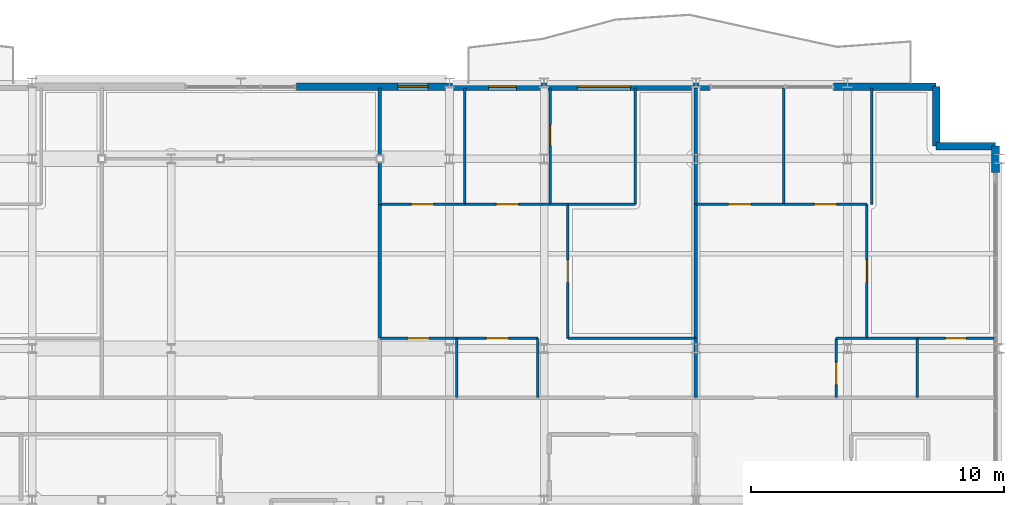
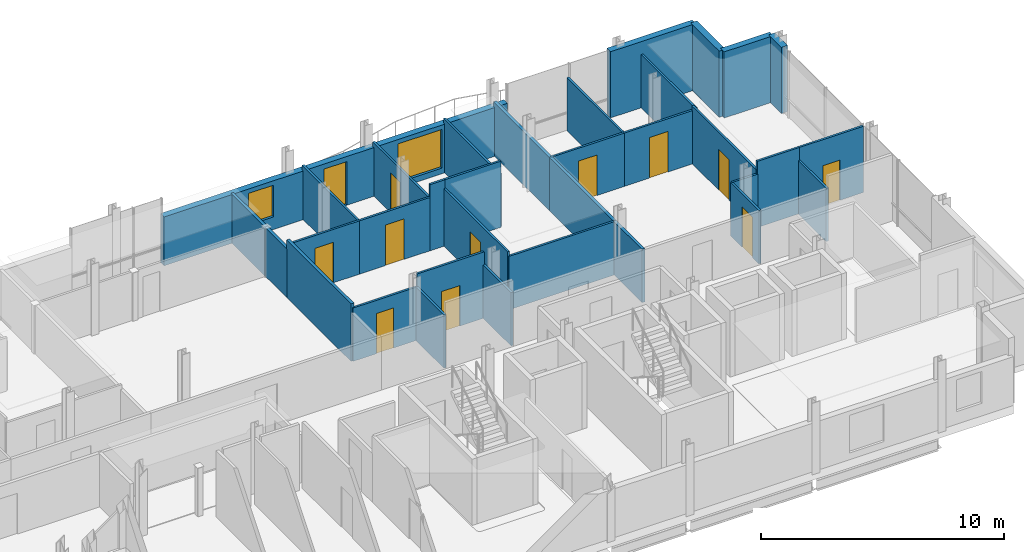
# One storey, part 30 of 35: 34 walls, 12 doors, 2 windows, 14 openings.
"""IFC4 building model written with IfcOpenShell, lengths in metres."""

from ifc_helpers import new_model, si_unit, direction, frame, frame_2d, origin, place, context, subcontext, project, spatial, rectangle, extrude, material, layer, layer_set, type_object, element, fill, save


model = new_model("IFC4")

# Units and contexts
model_context = context("Model", 3, precision=1e-05, world=origin(), true_north=direction((0.0, 1.0)))
body_context = subcontext(model_context, "Body", "Model", "MODEL_VIEW")
ifc_project = project(units=[si_unit("LENGTHUNIT", "METRE"), si_unit("AREAUNIT", "SQUARE_METRE"), si_unit("VOLUMEUNIT", "CUBIC_METRE"), si_unit("PLANEANGLEUNIT", "RADIAN"), si_unit("MASSUNIT", "GRAM", prefix="KILO")], contexts=[model_context])

# Site, building, storey
site_placement = place(None, origin())
site = spatial("IfcSite", under=ifc_project, at=site_placement, CompositionType="ELEMENT")
building_placement = place(site_placement, origin())
building = spatial("IfcBuilding", under=site, at=building_placement, Name="Brevholm Reach", CompositionType="ELEMENT")
storey_placement = place(building_placement, frame((0.0, 0.0, 214.39990234375)))
storey = spatial("IfcBuildingStorey", under=building, at=storey_placement, Name="L65", CompositionType="ELEMENT", Elevation=214.39990234375)

# Walls
ifc_material_1 = material(Name="Concrete C40/50", Category="concrete")
ifc_layer_1 = layer(ifc_material_1, 0.300048828125)
ifc_layer_set_1 = layer_set([ifc_layer_1], Name="Concrete C40/50")
wall_type_1 = type_object("IfcWallType", Name="WAL-EXT-300", PredefinedType="STANDARD", material=ifc_layer_set_1)
for number, where, z_axis, x_axis, name in (
    (1, (59.85009765625, 24.0, 0.0), (0.0, 0.0, 1.0), (-1.0, 0.0, 0.0), "L65 Facade Wall WAL-L65-CNE1"),
    (2, (57.5, 24.0, 0.0), (0.0, 0.0, 1.0), (0.0, 1.0, 0.0), "L65 Facade Wall WAL-L65-CNE2"),
):
    element("IfcWall", number, at=place(storey_placement, frame(where, z_axis=z_axis, x_axis=x_axis)), inside=storey, type_object=wall_type_1, Name=name, PredefinedType="STANDARD", context=body_context, shape_type="SweptSolid", body=[
        extrude(rectangle(XDim=2.35009765625, YDim=0.300048828125, at=frame_2d((1.175048828125, 0.0))), origin(), (0.0, 0.0, 1.0), 3.330078125),
    ])
wall_1_placement = place(storey_placement, frame((59.85009765625, 22.949951171875, 0.0), z_axis=(0.0, 0.0, 1.0), x_axis=(0.0, 1.0, 0.0)))
element("IfcWall", 3, at=wall_1_placement, inside=storey, type_object=wall_type_1, Name="L65 Facade Wall WAL-L65-E-N", PredefinedType="STANDARD", context=body_context, shape_type="SweptSolid", body=[
    extrude(rectangle(XDim=1.050048828125, YDim=0.300048828125, at=frame_2d((0.52490234375, 0.0))), origin(), (0.0, 0.0, 1.0), 3.330078125),
])
wall_2_placement = place(storey_placement, frame((53.449951171875, 26.35009765625, 0.0), z_axis=(0.0, 0.0, 1.0), x_axis=(1.0, 0.0, 0.0)))
element("IfcWall", 4, at=wall_2_placement, inside=storey, type_object=wall_type_1, Name="L65 Facade Wall WAL-L65-NP-E0", PredefinedType="STANDARD", context=body_context, shape_type="SweptSolid", body=[
    extrude(rectangle(XDim=4.050048828125, YDim=0.300048828125, at=frame_2d((2.02490234375, 0.0))), origin(), (0.0, 0.0, 1.0), 3.330078125),
])

# Wall, openings, door, windows
wall_3_placement = place(storey_placement, frame((32.199951171875, 26.35009765625, 0.0), z_axis=(0.0, 0.0, 1.0), x_axis=(1.0, 0.0, 0.0)))
wall_3 = element("IfcWall", 5, at=wall_3_placement, inside=storey, type_object=wall_type_1, Name="L65 Facade Wall WAL-L65-NP-ER", PredefinedType="STANDARD", context=body_context, shape_type="SweptSolid", body=[
    extrude(rectangle(XDim=16.35009765625, YDim=0.300048828125, at=frame_2d((8.175048828125, 0.0))), origin(), (0.0, 0.0, 1.0), 2.4541015625),
])
opening_1_placement = place(wall_3_placement, frame((7.60009765625, 0.0, 0.0)))
opening_1 = element("IfcOpeningElement", 6, at=opening_1_placement, cuts=wall_3, Name="Opening BD-01", PredefinedType="OPENING", context=body_context, shape_type="SweptSolid", body=[
    extrude(rectangle(XDim=1.10009765625, YDim=2.199951171875, at=frame_2d((0.550048828125, 1.10009765625))), frame((0.0, 0.159912109375, 0.0), z_axis=(0.0, -1.0, 0.0), x_axis=(1.0, 0.0, 0.0)), (0.0, 0.0, 1.0), 0.320068359375),
])
opening_2_placement = place(wall_3_placement, frame((11.12109375, 0.0, 0.283935546875)))
opening_2 = element("IfcOpeningElement", 7, at=opening_2_placement, cuts=wall_3, Name="Opening WN-07", PredefinedType="OPENING", context=body_context, shape_type="SweptSolid", body=[
    extrude(rectangle(XDim=2.10009765625, YDim=1.949951171875, at=frame_2d((1.050048828125, 0.97509765625))), frame((0.0, 0.159912109375, 0.0), z_axis=(0.0, -1.0, 0.0), x_axis=(1.0, 0.0, 0.0)), (0.0, 0.0, 1.0), 0.320068359375),
])
opening_3_placement = place(wall_3_placement, frame((4.00634765625, 0.0, 0.634033203125)))
opening_3 = element("IfcOpeningElement", 8, at=opening_3_placement, cuts=wall_3, Name="Opening WN-08", PredefinedType="OPENING", context=body_context, shape_type="SweptSolid", body=[
    extrude(rectangle(XDim=1.199951171875, YDim=1.60009765625, at=frame_2d((0.60009765625, 0.800048828125))), frame((0.0, 0.159912109375, 0.0), z_axis=(0.0, -1.0, 0.0), x_axis=(1.0, 0.0, 0.0)), (0.0, 0.0, 1.0), 0.320068359375),
])
ifc_material_2 = material(Name="Dark Anodised Aluminium and Triple-Glazed Glass", Category="aluminium")
door_type_1 = type_object("IfcDoorType", Name="DOR-BALC-1100", OperationType="NOTDEFINED", PredefinedType="DOOR", material=ifc_material_2)
door_1_placement = place(opening_1_placement, origin())
door_1 = element("IfcDoor", 9, at=door_1_placement, inside=storey, type_object=door_type_1, Name="L65 Exterior Door DOR-L65-BL-NE", OperationType="SINGLE_SWING_LEFT", OverallHeight=2.199951171875, OverallWidth=1.10009765625, PredefinedType="DOOR", context=body_context, shape_type="SweptSolid", body=[
    extrude(rectangle(XDim=1.10009765625, YDim=2.199951171875, at=frame_2d((0.550048828125, 1.10009765625))), frame((0.0, 0.02490234375, 0.0), z_axis=(0.0, -1.0, 0.0), x_axis=(1.0, 0.0, 0.0)), (0.0, 0.0, 1.0), 0.050048828125),
])
fill(opening_1, door_1)
ifc_material_3 = material(Name="Dark Anodised Aluminium and Solar-Control IGU Glass", Category="aluminium")
window_type_1 = type_object("IfcWindowType", Name="WIN-RES-1200", PartitioningType="SINGLE_PANEL", PredefinedType="WINDOW", material=ifc_material_3)
window_1_placement = place(opening_3_placement, origin())
window_1 = element("IfcWindow", 10, at=window_1_placement, inside=storey, type_object=window_type_1, Name="L65 Bedroom Window 071", OverallHeight=1.60009765625, OverallWidth=1.199951171875, PartitioningType="SINGLE_PANEL", PredefinedType="WINDOW", context=body_context, shape_type="SweptSolid", body=[
    extrude(rectangle(XDim=1.199951171875, YDim=1.60009765625, at=frame_2d((0.60009765625, 0.800048828125))), frame((0.0, 0.030029296875, 0.0), z_axis=(0.0, -1.0, 0.0), x_axis=(1.0, 0.0, 0.0)), (0.0, 0.0, 1.0), 0.06005859375),
])
fill(opening_3, window_1)
ifc_material_4 = material(Name="Dark Anodised Aluminium and Solar-Control IGU Glass", Category="aluminium")
window_type_2 = type_object("IfcWindowType", Name="WIN-RES-2100", PartitioningType="SINGLE_PANEL", PredefinedType="WINDOW", material=ifc_material_4)
window_2_placement = place(opening_2_placement, origin())
window_2 = element("IfcWindow", 11, at=window_2_placement, inside=storey, type_object=window_type_2, Name="L65 Window WIN-L65-NP-ER1", OverallHeight=1.949951171875, OverallWidth=2.10009765625, PartitioningType="SINGLE_PANEL", PredefinedType="WINDOW", context=body_context, shape_type="SweptSolid", body=[
    extrude(rectangle(XDim=2.10009765625, YDim=1.949951171875, at=frame_2d((1.050048828125, 0.97509765625))), frame((0.0, 0.030029296875, 0.0), z_axis=(0.0, -1.0, 0.0), x_axis=(1.0, 0.0, 0.0)), (0.0, 0.0, 1.0), 0.06005859375),
])
fill(opening_2, window_2)

# Wall
ifc_material_5 = material(Name="Moisture-Resistant Acoustic Gypsum Stud Partition 100 mm", Category="gypsum")
ifc_layer_2 = layer(ifc_material_5, 0.10009765625)
ifc_layer_set_2 = layer_set([ifc_layer_2], Name="Moisture-Resistant Acoustic Gypsum Stud Partition 100 mm")
wall_type_2 = type_object("IfcWallType", Name="WAL-PRT-100", PredefinedType="PARTITIONING", material=ifc_layer_set_2)
wall_4_placement = place(storey_placement, frame((38.550048828125, 14.053955078125, 0.0), z_axis=(0.0, 0.0, 1.0), x_axis=(0.0, 1.0, 0.0)))
element("IfcWall", 12, at=wall_4_placement, inside=storey, type_object=wall_type_2, Name="L65 Internal Partition 090", PredefinedType="PARTITIONING", context=body_context, shape_type="SweptSolid", body=[
    extrude(rectangle(XDim=2.345947265625, YDim=0.10009765625, at=frame_2d((1.1728515625, 0.0))), origin(), (0.0, 0.0, 1.0), 2.684814453125),
])

# Wall, opening, door
wall_5_placement = place(storey_placement, frame((35.50390625, 16.39990234375, 0.0), z_axis=(0.0, 0.0, 1.0), x_axis=(1.0, 0.0, 0.0)))
wall_5 = element("IfcWall", 13, at=wall_5_placement, inside=storey, type_object=wall_type_2, Name="L65 Internal Partition 091", PredefinedType="PARTITIONING", context=body_context, shape_type="SweptSolid", body=[
    extrude(rectangle(XDim=3.046142578125, YDim=0.10009765625, at=frame_2d((1.52294921875, 0.0))), origin(), (0.0, 0.0, 1.0), 2.684814453125),
])
opening_4_placement = place(wall_5_placement, frame((1.113037109375, 0.0, 0.0)))
opening_4 = element("IfcOpeningElement", 14, at=opening_4_placement, cuts=wall_5, Name="Opening ID-03", PredefinedType="OPENING", context=body_context, shape_type="SweptSolid", body=[
    extrude(rectangle(XDim=0.820068359375, YDim=2.02001953125, at=frame_2d((0.41015625, 1.010009765625))), frame((0.0, 0.06005859375, 0.0), z_axis=(0.0, -1.0, 0.0), x_axis=(1.0, 0.0, 0.0)), (0.0, 0.0, 1.0), 0.1201171875),
])
ifc_material_6 = material(Name="Moisture-Resistant Painted Timber Internal Bathroom Door", Category="wood")
door_type_2 = type_object("IfcDoorType", Name="DOR-BATH-820", OperationType="NOTDEFINED", PredefinedType="DOOR", material=ifc_material_6)
door_2_placement = place(opening_4_placement, origin())
door_2 = element("IfcDoor", 15, at=door_2_placement, inside=storey, type_object=door_type_2, Name="L65 Internal Door 035", OperationType="SINGLE_SWING_RIGHT", OverallHeight=2.02001953125, OverallWidth=0.820068359375, PredefinedType="DOOR", context=body_context, shape_type="SweptSolid", body=[
    extrude(rectangle(XDim=0.820068359375, YDim=2.02001953125, at=frame_2d((0.41015625, 1.010009765625))), frame((0.0, 0.02490234375, 0.0), z_axis=(0.0, -1.0, 0.0), x_axis=(1.0, 0.0, 0.0)), (0.0, 0.0, 1.0), 0.050048828125),
])
fill(opening_4, door_2)

# Wall
wall_6_placement = place(storey_placement, frame((41.75, 14.053955078125, 0.0), z_axis=(0.0, 0.0, 1.0), x_axis=(0.0, 1.0, 0.0)))
element("IfcWall", 16, at=wall_6_placement, inside=storey, type_object=wall_type_2, Name="L65 Internal Partition 092", PredefinedType="PARTITIONING", context=body_context, shape_type="SweptSolid", body=[
    extrude(rectangle(XDim=2.345947265625, YDim=0.10009765625, at=frame_2d((1.1728515625, 0.0))), origin(), (0.0, 0.0, 1.0), 2.684814453125),
])

# Wall, opening, door
wall_7_placement = place(storey_placement, frame((38.553955078125, 16.39990234375, 0.0), z_axis=(0.0, 0.0, 1.0), x_axis=(1.0, 0.0, 0.0)))
wall_7 = element("IfcWall", 17, at=wall_7_placement, inside=storey, type_object=wall_type_2, Name="L65 Internal Partition 093", PredefinedType="PARTITIONING", context=body_context, shape_type="SweptSolid", body=[
    extrude(rectangle(XDim=3.196044921875, YDim=0.10009765625, at=frame_2d((1.59814453125, 0.0))), origin(), (0.0, 0.0, 1.0), 3.330078125),
])
opening_5_placement = place(wall_7_placement, frame((1.157958984375, 0.0, 0.0)))
opening_5 = element("IfcOpeningElement", 18, at=opening_5_placement, cuts=wall_7, Name="Opening ID-01", PredefinedType="OPENING", context=body_context, shape_type="SweptSolid", body=[
    extrude(rectangle(XDim=0.8798828125, YDim=2.0400390625, at=frame_2d((0.43994140625, 1.02001953125))), frame((0.0, 0.06005859375, 0.0), z_axis=(0.0, -1.0, 0.0), x_axis=(1.0, 0.0, 0.0)), (0.0, 0.0, 1.0), 0.1201171875),
])
ifc_material_7 = material(Name="Lacquered Ash Solid-Core Acoustic Internal Door", Category="timber")
door_type_3 = type_object("IfcDoorType", Name="DOR-INT-880", OperationType="NOTDEFINED", PredefinedType="DOOR", material=ifc_material_7)
door_3_placement = place(opening_5_placement, origin())
door_3 = element("IfcDoor", 19, at=door_3_placement, inside=storey, type_object=door_type_3, Name="L65 Internal Door 036", OperationType="SINGLE_SWING_LEFT", OverallHeight=2.0400390625, OverallWidth=0.8798828125, PredefinedType="DOOR", context=body_context, shape_type="SweptSolid", body=[
    extrude(rectangle(XDim=0.8798828125, YDim=2.0400390625, at=frame_2d((0.43994140625, 1.02001953125))), frame((0.0, 0.02490234375, 0.0), z_axis=(0.0, -1.0, 0.0), x_axis=(1.0, 0.0, 0.0)), (0.0, 0.0, 1.0), 0.050048828125),
])
fill(opening_5, door_3)

# Wall
wall_8_placement = place(storey_placement, frame((38.866943359375, 21.699951171875, 0.0), z_axis=(0.0, 0.0, 1.0), x_axis=(0.0, 1.0, 0.0)))
element("IfcWall", 20, at=wall_8_placement, inside=storey, type_object=wall_type_2, Name="L65 Internal Partition 094", PredefinedType="PARTITIONING", context=body_context, shape_type="SweptSolid", body=[
    extrude(rectangle(XDim=4.60009765625, YDim=0.10009765625, at=frame_2d((2.300048828125, 0.0))), origin(), (0.0, 0.0, 1.0), 2.684814453125),
])

# Wall, opening, door
wall_9_placement = place(storey_placement, frame((35.50390625, 21.699951171875, 0.0), z_axis=(0.0, 0.0, 1.0), x_axis=(1.0, 0.0, 0.0)))
wall_9 = element("IfcWall", 21, at=wall_9_placement, inside=storey, type_object=wall_type_2, Name="L65 Internal Partition 095", PredefinedType="PARTITIONING", context=body_context, shape_type="SweptSolid", body=[
    extrude(rectangle(XDim=3.363037109375, YDim=0.10009765625, at=frame_2d((1.681640625, 0.0))), origin(), (0.0, 0.0, 1.0), 2.684814453125),
])
opening_6_placement = place(wall_9_placement, frame((1.241455078125, 0.0, 0.0)))
opening_6 = element("IfcOpeningElement", 22, at=opening_6_placement, cuts=wall_9, Name="Opening ID-01", PredefinedType="OPENING", context=body_context, shape_type="SweptSolid", body=[
    extrude(rectangle(XDim=0.8798828125, YDim=2.0400390625, at=frame_2d((0.43994140625, 1.02001953125))), frame((0.0, 0.06005859375, 0.0), z_axis=(0.0, -1.0, 0.0), x_axis=(1.0, 0.0, 0.0)), (0.0, 0.0, 1.0), 0.1201171875),
])
door_4_placement = place(opening_6_placement, origin())
door_4 = element("IfcDoor", 23, at=door_4_placement, inside=storey, type_object=door_type_3, Name="L65 Internal Door 037", OperationType="SINGLE_SWING_RIGHT", OverallHeight=2.0400390625, OverallWidth=0.8798828125, PredefinedType="DOOR", context=body_context, shape_type="SweptSolid", body=[
    extrude(rectangle(XDim=0.8798828125, YDim=2.0400390625, at=frame_2d((0.43994140625, 1.02001953125))), frame((0.0, 0.02490234375, 0.0), z_axis=(0.0, -1.0, 0.0), x_axis=(1.0, 0.0, 0.0)), (0.0, 0.0, 1.0), 0.050048828125),
])
fill(opening_6, door_4)

wall_10_placement = place(storey_placement, frame((42.23388671875, 21.699951171875, 0.0), z_axis=(0.0, 0.0, 1.0), x_axis=(0.0, 1.0, 0.0)))
wall_10 = element("IfcWall", 24, at=wall_10_placement, inside=storey, type_object=wall_type_2, Name="L65 Internal Partition 096", PredefinedType="PARTITIONING", context=body_context, shape_type="SweptSolid", body=[
    extrude(rectangle(XDim=4.60009765625, YDim=0.10009765625, at=frame_2d((2.300048828125, 0.0))), origin(), (0.0, 0.0, 1.0), 2.684814453125),
])
opening_7_placement = place(wall_10_placement, frame((2.330078125, 0.0, 0.0)))
opening_7 = element("IfcOpeningElement", 25, at=opening_7_placement, cuts=wall_10, Name="Opening ID-03", PredefinedType="OPENING", context=body_context, shape_type="SweptSolid", body=[
    extrude(rectangle(XDim=0.820068359375, YDim=2.02001953125, at=frame_2d((0.41015625, 1.010009765625))), frame((0.0, 0.06005859375, 0.0), z_axis=(0.0, -1.0, 0.0), x_axis=(1.0, 0.0, 0.0)), (0.0, 0.0, 1.0), 0.1201171875),
])
door_5_placement = place(opening_7_placement, origin())
door_5 = element("IfcDoor", 26, at=door_5_placement, inside=storey, type_object=door_type_2, Name="L65 Access Door 047", OperationType="SINGLE_SWING_RIGHT", OverallHeight=2.02001953125, OverallWidth=0.820068359375, PredefinedType="DOOR", context=body_context, shape_type="SweptSolid", body=[
    extrude(rectangle(XDim=0.820068359375, YDim=2.02001953125, at=frame_2d((0.41015625, 1.010009765625))), frame((0.0, 0.02490234375, 0.0), z_axis=(0.0, -1.0, 0.0), x_axis=(1.0, 0.0, 0.0)), (0.0, 0.0, 1.0), 0.050048828125),
])
fill(opening_7, door_5)

wall_11_placement = place(storey_placement, frame((38.87109375, 21.699951171875, 0.0), z_axis=(0.0, 0.0, 1.0), x_axis=(1.0, 0.0, 0.0)))
wall_11 = element("IfcWall", 27, at=wall_11_placement, inside=storey, type_object=wall_type_2, Name="L65 Internal Partition 097", PredefinedType="PARTITIONING", context=body_context, shape_type="SweptSolid", body=[
    extrude(rectangle(XDim=3.36279296875, YDim=0.10009765625, at=frame_2d((1.681396484375, 0.0))), origin(), (0.0, 0.0, 1.0), 2.684814453125),
])
opening_8_placement = place(wall_11_placement, frame((1.241455078125, 0.0, 0.0)))
opening_8 = element("IfcOpeningElement", 28, at=opening_8_placement, cuts=wall_11, Name="Opening ID-01", PredefinedType="OPENING", context=body_context, shape_type="SweptSolid", body=[
    extrude(rectangle(XDim=0.8798828125, YDim=2.0400390625, at=frame_2d((0.43994140625, 1.02001953125))), frame((0.0, 0.06005859375, 0.0), z_axis=(0.0, -1.0, 0.0), x_axis=(1.0, 0.0, 0.0)), (0.0, 0.0, 1.0), 0.1201171875),
])
door_6_placement = place(opening_8_placement, origin())
door_6 = element("IfcDoor", 29, at=door_6_placement, inside=storey, type_object=door_type_3, Name="L65 Internal Door 038", OperationType="SINGLE_SWING_LEFT", OverallHeight=2.0400390625, OverallWidth=0.8798828125, PredefinedType="DOOR", context=body_context, shape_type="SweptSolid", body=[
    extrude(rectangle(XDim=0.8798828125, YDim=2.0400390625, at=frame_2d((0.43994140625, 1.02001953125))), frame((0.0, 0.02490234375, 0.0), z_axis=(0.0, -1.0, 0.0), x_axis=(1.0, 0.0, 0.0)), (0.0, 0.0, 1.0), 0.050048828125),
])
fill(opening_8, door_6)

# Walls
wall_12_placement = place(storey_placement, frame((42.923583984375, 21.699951171875, 0.0), z_axis=(0.0, 0.0, 1.0), x_axis=(1.0, 0.0, 0.0)))
element("IfcWall", 30, at=wall_12_placement, inside=storey, type_object=wall_type_2, Name="L65 Internal Partition 098", PredefinedType="PARTITIONING", context=body_context, shape_type="SweptSolid", body=[
    extrude(rectangle(XDim=2.677490234375, YDim=0.10009765625, at=frame_2d((1.3388671875, 0.0))), origin(), (0.0, 0.0, 1.0), 3.330078125),
])
wall_13_placement = place(storey_placement, frame((45.60107421875, 21.699951171875, 0.0), z_axis=(0.0, 0.0, 1.0), x_axis=(0.0, 1.0, 0.0)))
element("IfcWall", 31, at=wall_13_placement, inside=storey, type_object=wall_type_2, Name="L65 Internal Partition 099", PredefinedType="PARTITIONING", context=body_context, shape_type="SweptSolid", body=[
    extrude(rectangle(XDim=4.60009765625, YDim=0.10009765625, at=frame_2d((2.300048828125, 0.0))), origin(), (0.0, 0.0, 1.0), 2.684814453125),
])
wall_14_placement = place(storey_placement, frame((42.238037109375, 21.699951171875, 0.0), z_axis=(0.0, 0.0, 1.0), x_axis=(1.0, 0.0, 0.0)))
element("IfcWall", 32, at=wall_14_placement, inside=storey, type_object=wall_type_2, Name="L65 Internal Partition 100", PredefinedType="PARTITIONING", context=body_context, shape_type="SweptSolid", body=[
    extrude(rectangle(XDim=0.704345703125, YDim=0.10009765625, at=frame_2d((0.35205078125, 0.0))), origin(), (0.0, 0.0, 1.0), 3.330078125),
])
wall_15_placement = place(storey_placement, frame((42.93505859375, 16.39990234375, 0.0), z_axis=(0.0, 0.0, 1.0), x_axis=(1.0, 0.0, 0.0)))
element("IfcWall", 33, at=wall_15_placement, inside=storey, type_object=wall_type_2, Name="L65 Internal Partition 101", PredefinedType="PARTITIONING", context=body_context, shape_type="SweptSolid", body=[
    extrude(rectangle(XDim=5.06494140625, YDim=0.10009765625, at=frame_2d((2.532470703125, 0.0))), origin(), (0.0, 0.0, 1.0), 2.684814453125),
])

# Wall, opening, door
wall_16_placement = place(storey_placement, frame((42.93505859375, 16.39990234375, 0.0), z_axis=(0.0, 0.0, 1.0), x_axis=(0.0, 1.0, 0.0)))
wall_16 = element("IfcWall", 34, at=wall_16_placement, inside=storey, type_object=wall_type_2, Name="L65 Internal Partition 102", PredefinedType="PARTITIONING", context=body_context, shape_type="SweptSolid", body=[
    extrude(rectangle(XDim=5.296142578125, YDim=0.10009765625, at=frame_2d((2.64794921875, 0.0))), origin(), (0.0, 0.0, 1.0), 2.898681640625),
])
opening_9_placement = place(wall_16_placement, frame((2.2080078125, 0.0, 0.0)))
opening_9 = element("IfcOpeningElement", 35, at=opening_9_placement, cuts=wall_16, Name="Opening ID-01", PredefinedType="OPENING", context=body_context, shape_type="SweptSolid", body=[
    extrude(rectangle(XDim=0.8798828125, YDim=2.0400390625, at=frame_2d((0.43994140625, 1.02001953125))), frame((0.0, 0.06005859375, 0.0), z_axis=(0.0, -1.0, 0.0), x_axis=(1.0, 0.0, 0.0)), (0.0, 0.0, 1.0), 0.1201171875),
])
door_7_placement = place(opening_9_placement, origin())
door_7 = element("IfcDoor", 36, at=door_7_placement, inside=storey, type_object=door_type_3, Name="L65 Internal Door 039", OperationType="SINGLE_SWING_RIGHT", OverallHeight=2.0400390625, OverallWidth=0.8798828125, PredefinedType="DOOR", context=body_context, shape_type="SweptSolid", body=[
    extrude(rectangle(XDim=0.8798828125, YDim=2.0400390625, at=frame_2d((0.43994140625, 1.02001953125))), frame((0.0, 0.02490234375, 0.0), z_axis=(0.0, -1.0, 0.0), x_axis=(1.0, 0.0, 0.0)), (0.0, 0.0, 1.0), 0.050048828125),
])
fill(opening_9, door_7)

# Wall
wall_17_placement = place(storey_placement, frame((56.75, 14.053955078125, 0.0), z_axis=(0.0, 0.0, 1.0), x_axis=(0.0, 1.0, 0.0)))
element("IfcWall", 37, at=wall_17_placement, inside=storey, type_object=wall_type_2, Name="L65 Internal Partition 106", PredefinedType="PARTITIONING", context=body_context, shape_type="SweptSolid", body=[
    extrude(rectangle(XDim=2.345947265625, YDim=0.10009765625, at=frame_2d((1.1728515625, 0.0))), origin(), (0.0, 0.0, 1.0), 2.684814453125),
])

# Wall, opening, door
wall_18_placement = place(storey_placement, frame((56.75, 16.39990234375, 0.0), z_axis=(0.0, 0.0, 1.0), x_axis=(1.0, 0.0, 0.0)))
wall_18 = element("IfcWall", 38, at=wall_18_placement, inside=storey, type_object=wall_type_2, Name="L65 Internal Partition 107", PredefinedType="PARTITIONING", context=body_context, shape_type="SweptSolid", body=[
    extrude(rectangle(XDim=3.050048828125, YDim=0.10009765625, at=frame_2d((1.52490234375, 0.0))), origin(), (0.0, 0.0, 1.0), 3.330078125),
])
opening_10_placement = place(wall_18_placement, frame((1.114990234375, 0.0, 0.0)))
opening_10 = element("IfcOpeningElement", 39, at=opening_10_placement, cuts=wall_18, Name="Opening ID-03", PredefinedType="OPENING", context=body_context, shape_type="SweptSolid", body=[
    extrude(rectangle(XDim=0.820068359375, YDim=2.02001953125, at=frame_2d((0.41015625, 1.010009765625))), frame((0.0, 0.06005859375, 0.0), z_axis=(0.0, -1.0, 0.0), x_axis=(1.0, 0.0, 0.0)), (0.0, 0.0, 1.0), 0.1201171875),
])
door_8_placement = place(opening_10_placement, origin())
door_8 = element("IfcDoor", 40, at=door_8_placement, inside=storey, type_object=door_type_2, Name="L65 Access Door 048", OperationType="SINGLE_SWING_LEFT", OverallHeight=2.02001953125, OverallWidth=0.820068359375, PredefinedType="DOOR", context=body_context, shape_type="SweptSolid", body=[
    extrude(rectangle(XDim=0.820068359375, YDim=2.02001953125, at=frame_2d((0.41015625, 1.010009765625))), frame((0.0, 0.02490234375, 0.0), z_axis=(0.0, -1.0, 0.0), x_axis=(1.0, 0.0, 0.0)), (0.0, 0.0, 1.0), 0.050048828125),
])
fill(opening_10, door_8)

# Walls
wall_19_placement = place(storey_placement, frame((54.754638671875, 16.39990234375, 0.0), z_axis=(0.0, 0.0, 1.0), x_axis=(1.0, 0.0, 0.0)))
element("IfcWall", 41, at=wall_19_placement, inside=storey, type_object=wall_type_2, Name="L65 Internal Partition 108", PredefinedType="PARTITIONING", context=body_context, shape_type="SweptSolid", body=[
    extrude(rectangle(XDim=1.991455078125, YDim=0.10009765625, at=frame_2d((0.99560546875, 0.0))), origin(), (0.0, 0.0, 1.0), 3.330078125),
])
wall_20_placement = place(storey_placement, frame((53.550048828125, 16.39990234375, 0.0), z_axis=(0.0, 0.0, 1.0), x_axis=(1.0, 0.0, 0.0)))
element("IfcWall", 42, at=wall_20_placement, inside=storey, type_object=wall_type_2, Name="L65 Internal Partition 109", PredefinedType="PARTITIONING", context=body_context, shape_type="SweptSolid", body=[
    extrude(rectangle(XDim=1.22314453125, YDim=0.10009765625, at=frame_2d((0.611572265625, 0.0))), origin(), (0.0, 0.0, 1.0), 2.684814453125),
])

# Wall, opening, door
wall_21_placement = place(storey_placement, frame((53.550048828125, 14.053955078125, 0.0), z_axis=(0.0, 0.0, 1.0), x_axis=(0.0, 1.0, 0.0)))
wall_21 = element("IfcWall", 43, at=wall_21_placement, inside=storey, type_object=wall_type_2, Name="L65 Internal Partition 110", PredefinedType="PARTITIONING", context=body_context, shape_type="SweptSolid", body=[
    extrude(rectangle(XDim=2.345947265625, YDim=0.10009765625, at=frame_2d((1.1728515625, 0.0))), origin(), (0.0, 0.0, 1.0), 2.684814453125),
])
opening_11_placement = place(wall_21_placement, frame((0.512939453125, 0.0, 0.0)))
opening_11 = element("IfcOpeningElement", 44, at=opening_11_placement, cuts=wall_21, Name="Opening ID-01", PredefinedType="OPENING", context=body_context, shape_type="SweptSolid", body=[
    extrude(rectangle(XDim=0.8798828125, YDim=2.0400390625, at=frame_2d((0.43994140625, 1.02001953125))), frame((0.0, 0.06005859375, 0.0), z_axis=(0.0, -1.0, 0.0), x_axis=(1.0, 0.0, 0.0)), (0.0, 0.0, 1.0), 0.1201171875),
])
door_9_placement = place(opening_11_placement, origin())
door_9 = element("IfcDoor", 45, at=door_9_placement, inside=storey, type_object=door_type_3, Name="L65 Internal Door 040", OperationType="SINGLE_SWING_LEFT", OverallHeight=2.0400390625, OverallWidth=0.8798828125, PredefinedType="DOOR", context=body_context, shape_type="SweptSolid", body=[
    extrude(rectangle(XDim=0.8798828125, YDim=2.0400390625, at=frame_2d((0.43994140625, 1.02001953125))), frame((0.0, 0.02490234375, 0.0), z_axis=(0.0, -1.0, 0.0), x_axis=(1.0, 0.0, 0.0)), (0.0, 0.0, 1.0), 0.050048828125),
])
fill(opening_11, door_9)

# Wall
wall_22_placement = place(storey_placement, frame((51.47509765625, 21.699951171875, 0.0), z_axis=(0.0, 0.0, 1.0), x_axis=(0.0, 1.0, 0.0)))
element("IfcWall", 46, at=wall_22_placement, inside=storey, type_object=wall_type_2, Name="L65 Internal Partition 111", PredefinedType="PARTITIONING", context=body_context, shape_type="SweptSolid", body=[
    extrude(rectangle(XDim=4.60009765625, YDim=0.10009765625, at=frame_2d((2.300048828125, 0.0))), origin(), (0.0, 0.0, 1.0), 2.684814453125),
])

# Wall, opening, door
wall_23_placement = place(storey_placement, frame((48.00390625, 21.699951171875, 0.0), z_axis=(0.0, 0.0, 1.0), x_axis=(1.0, 0.0, 0.0)))
wall_23 = element("IfcWall", 47, at=wall_23_placement, inside=storey, type_object=wall_type_2, Name="L65 Internal Partition 112", PredefinedType="PARTITIONING", context=body_context, shape_type="SweptSolid", body=[
    extrude(rectangle(XDim=3.47119140625, YDim=0.10009765625, at=frame_2d((1.735595703125, 0.0))), origin(), (0.0, 0.0, 1.0), 2.684814453125),
])
opening_12_placement = place(wall_23_placement, frame((1.29541015625, 0.0, 0.0)))
opening_12 = element("IfcOpeningElement", 48, at=opening_12_placement, cuts=wall_23, Name="Opening ID-01", PredefinedType="OPENING", context=body_context, shape_type="SweptSolid", body=[
    extrude(rectangle(XDim=0.8798828125, YDim=2.0400390625, at=frame_2d((0.43994140625, 1.02001953125))), frame((0.0, 0.06005859375, 0.0), z_axis=(0.0, -1.0, 0.0), x_axis=(1.0, 0.0, 0.0)), (0.0, 0.0, 1.0), 0.1201171875),
])
door_10_placement = place(opening_12_placement, origin())
door_10 = element("IfcDoor", 49, at=door_10_placement, inside=storey, type_object=door_type_3, Name="L65 Internal Door 041", OperationType="SINGLE_SWING_RIGHT", OverallHeight=2.0400390625, OverallWidth=0.8798828125, PredefinedType="DOOR", context=body_context, shape_type="SweptSolid", body=[
    extrude(rectangle(XDim=0.8798828125, YDim=2.0400390625, at=frame_2d((0.43994140625, 1.02001953125))), frame((0.0, 0.02490234375, 0.0), z_axis=(0.0, -1.0, 0.0), x_axis=(1.0, 0.0, 0.0)), (0.0, 0.0, 1.0), 0.050048828125),
])
fill(opening_12, door_10)

# Wall
wall_24_placement = place(storey_placement, frame((54.949951171875, 21.699951171875, 0.0), z_axis=(0.0, 0.0, 1.0), x_axis=(0.0, 1.0, 0.0)))
element("IfcWall", 50, at=wall_24_placement, inside=storey, type_object=wall_type_2, Name="L65 Internal Partition 113", PredefinedType="PARTITIONING", context=body_context, shape_type="SweptSolid", body=[
    extrude(rectangle(XDim=4.60009765625, YDim=0.10009765625, at=frame_2d((2.300048828125, 0.0))), origin(), (0.0, 0.0, 1.0), 2.684814453125),
])

# Wall, opening, door
wall_25_placement = place(storey_placement, frame((51.47900390625, 21.699951171875, 0.0), z_axis=(0.0, 0.0, 1.0), x_axis=(1.0, 0.0, 0.0)))
wall_25 = element("IfcWall", 51, at=wall_25_placement, inside=storey, type_object=wall_type_2, Name="L65 Internal Partition 114", PredefinedType="PARTITIONING", context=body_context, shape_type="SweptSolid", body=[
    extrude(rectangle(XDim=3.294189453125, YDim=0.10009765625, at=frame_2d((1.64697265625, 0.0))), origin(), (0.0, 0.0, 1.0), 2.684814453125),
])
opening_13_placement = place(wall_25_placement, frame((1.20703125, 0.0, 0.0)))
opening_13 = element("IfcOpeningElement", 52, at=opening_13_placement, cuts=wall_25, Name="Opening ID-01", PredefinedType="OPENING", context=body_context, shape_type="SweptSolid", body=[
    extrude(rectangle(XDim=0.8798828125, YDim=2.0400390625, at=frame_2d((0.43994140625, 1.02001953125))), frame((0.0, 0.06005859375, 0.0), z_axis=(0.0, -1.0, 0.0), x_axis=(1.0, 0.0, 0.0)), (0.0, 0.0, 1.0), 0.1201171875),
])
door_11_placement = place(opening_13_placement, origin())
door_11 = element("IfcDoor", 53, at=door_11_placement, inside=storey, type_object=door_type_3, Name="L65 Internal Door 042", OperationType="SINGLE_SWING_LEFT", OverallHeight=2.0400390625, OverallWidth=0.8798828125, PredefinedType="DOOR", context=body_context, shape_type="SweptSolid", body=[
    extrude(rectangle(XDim=0.8798828125, YDim=2.0400390625, at=frame_2d((0.43994140625, 1.02001953125))), frame((0.0, 0.02490234375, 0.0), z_axis=(0.0, -1.0, 0.0), x_axis=(1.0, 0.0, 0.0)), (0.0, 0.0, 1.0), 0.050048828125),
])
fill(opening_13, door_11)

wall_26_placement = place(storey_placement, frame((54.76611328125, 16.404052734375, 0.0), z_axis=(0.0, 0.0, 1.0), x_axis=(0.0, 1.0, 0.0)))
wall_26 = element("IfcWall", 54, at=wall_26_placement, inside=storey, type_object=wall_type_2, Name="L65 Internal Partition 115", PredefinedType="PARTITIONING", context=body_context, shape_type="SweptSolid", body=[
    extrude(rectangle(XDim=5.2919921875, YDim=0.10009765625, at=frame_2d((2.64599609375, 0.0))), origin(), (0.0, 0.0, 1.0), 2.898681640625),
])
opening_14_placement = place(wall_26_placement, frame((2.2060546875, 0.0, 0.0)))
opening_14 = element("IfcOpeningElement", 55, at=opening_14_placement, cuts=wall_26, Name="Opening ID-01", PredefinedType="OPENING", context=body_context, shape_type="SweptSolid", body=[
    extrude(rectangle(XDim=0.8798828125, YDim=2.0400390625, at=frame_2d((0.43994140625, 1.02001953125))), frame((0.0, 0.06005859375, 0.0), z_axis=(0.0, -1.0, 0.0), x_axis=(1.0, 0.0, 0.0)), (0.0, 0.0, 1.0), 0.1201171875),
])
door_12_placement = place(opening_14_placement, origin())
door_12 = element("IfcDoor", 56, at=door_12_placement, inside=storey, type_object=door_type_3, Name="L65 Internal Door 043", OperationType="SINGLE_SWING_RIGHT", OverallHeight=2.0400390625, OverallWidth=0.8798828125, PredefinedType="DOOR", context=body_context, shape_type="SweptSolid", body=[
    extrude(rectangle(XDim=0.8798828125, YDim=2.0400390625, at=frame_2d((0.43994140625, 1.02001953125))), frame((0.0, 0.02490234375, 0.0), z_axis=(0.0, -1.0, 0.0), x_axis=(1.0, 0.0, 0.0)), (0.0, 0.0, 1.0), 0.050048828125),
])
fill(opening_14, door_12)

# Walls
ifc_material_8 = material(Name="Twin-Stud Acoustic Fire-Rated Gypsum Partition 140 mm", Category="gypsum")
ifc_layer_3 = layer(ifc_material_8, 0.139892578125)
ifc_layer_set_3 = layer_set([ifc_layer_3], Name="Twin-Stud Acoustic Fire-Rated Gypsum Partition 140 mm")
wall_type_3 = type_object("IfcWallType", Name="WAL-PRT-140", PredefinedType="PARTITIONING", material=ifc_layer_set_3)
wall_27_placement = place(storey_placement, frame((35.5, 21.688720703125, 0.0), z_axis=(0.0, 0.0, 1.0), x_axis=(0.0, 1.0, 0.0)))
element("IfcWall", 57, at=wall_27_placement, inside=storey, type_object=wall_type_3, Name="L65 Internal Partition 087", PredefinedType="PARTITIONING", context=body_context, shape_type="SweptSolid", body=[
    extrude(rectangle(XDim=1.811279296875, YDim=0.139892578125, at=frame_2d((0.90576171875, 0.0))), origin(), (0.0, 0.0, 1.0), 2.4541015625),
])
wall_28_placement = place(storey_placement, frame((35.5, 16.392578125, 0.0), z_axis=(0.0, 0.0, 1.0), x_axis=(0.0, 1.0, 0.0)))
element("IfcWall", 58, at=wall_28_placement, inside=storey, type_object=wall_type_3, Name="L65 Internal Partition 088", PredefinedType="PARTITIONING", context=body_context, shape_type="SweptSolid", body=[
    extrude(rectangle(XDim=5.314697265625, YDim=0.139892578125, at=frame_2d((2.6572265625, 0.0))), origin(), (0.0, 0.0, 1.0), 2.898681640625),
])
wall_29_placement = place(storey_placement, frame((35.5, 23.50390625, 0.0), z_axis=(0.0, 0.0, 1.0), x_axis=(0.0, 1.0, 0.0)))
element("IfcWall", 59, at=wall_29_placement, inside=storey, type_object=wall_type_3, Name="L65 Internal Partition 089", PredefinedType="PARTITIONING", context=body_context, shape_type="SweptSolid", body=[
    extrude(rectangle(XDim=2.796142578125, YDim=0.139892578125, at=frame_2d((1.39794921875, 0.0))), origin(), (0.0, 0.0, 1.0), 2.4541015625),
])
wall_30_placement = place(storey_placement, frame((48.0, 21.688720703125, 0.0), z_axis=(0.0, 0.0, 1.0), x_axis=(0.0, 1.0, 0.0)))
element("IfcWall", 60, at=wall_30_placement, inside=storey, type_object=wall_type_3, Name="L65 Internal Partition 103", PredefinedType="PARTITIONING", context=body_context, shape_type="SweptSolid", body=[
    extrude(rectangle(XDim=4.611328125, YDim=0.139892578125, at=frame_2d((2.3056640625, 0.0))), origin(), (0.0, 0.0, 1.0), 2.684814453125),
])
wall_31_placement = place(storey_placement, frame((48.0, 16.39990234375, 0.0), z_axis=(0.0, 0.0, 1.0), x_axis=(0.0, 1.0, 0.0)))
element("IfcWall", 61, at=wall_31_placement, inside=storey, type_object=wall_type_3, Name="L65 Internal Partition 104", PredefinedType="PARTITIONING", context=body_context, shape_type="SweptSolid", body=[
    extrude(rectangle(XDim=5.307373046875, YDim=0.139892578125, at=frame_2d((2.65380859375, 0.0))), origin(), (0.0, 0.0, 1.0), 2.684814453125),
])
wall_32_placement = place(storey_placement, frame((48.0, 14.053955078125, 0.0), z_axis=(0.0, 0.0, 1.0), x_axis=(0.0, 1.0, 0.0)))
element("IfcWall", 62, at=wall_32_placement, inside=storey, type_object=wall_type_3, Name="L65 Internal Partition 105", PredefinedType="PARTITIONING", context=body_context, shape_type="SweptSolid", body=[
    extrude(rectangle(XDim=2.342041015625, YDim=0.139892578125, at=frame_2d((1.1708984375, 0.0))), origin(), (0.0, 0.0, 1.0), 2.684814453125),
])

save(model, "model.ifc")
